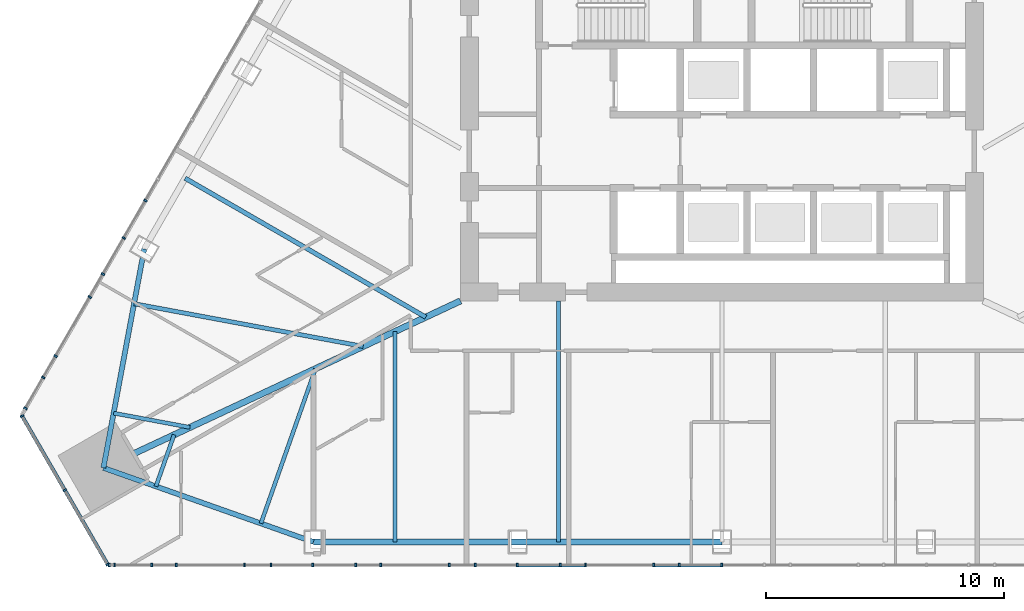
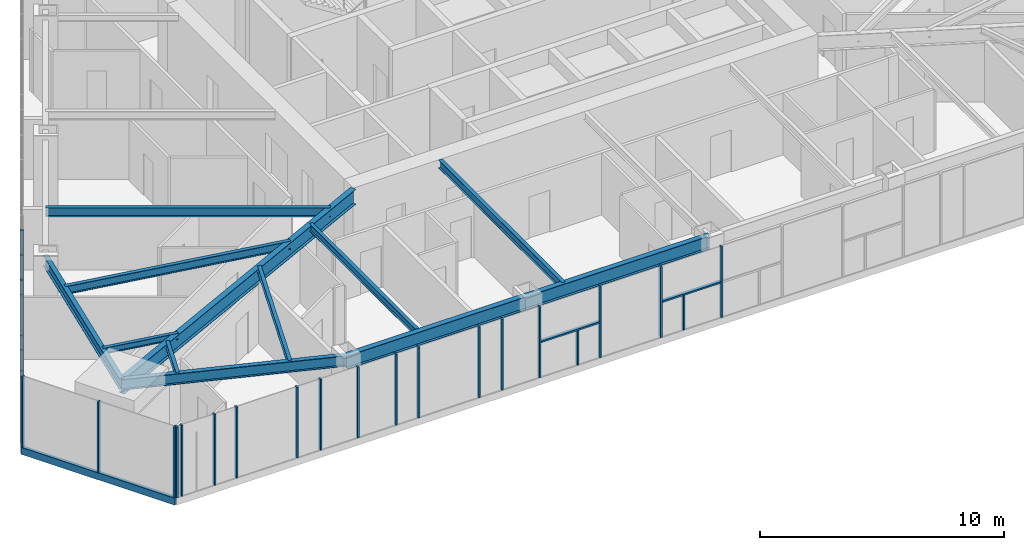
# One storey, part 2 of 24: 30 members, 11 beams, 3 elements without a shape of their own.
"""IFC4 building model written with IfcOpenShell, lengths in metres."""

from ifc_helpers import new_model, si_unit, direction, frame, origin, origin_2d, place, context, subcontext, project, spatial, rectangle, i_section, extrude, material, layer, layer_set, material_profile, profile_set, type_object, element, aggregate, save


model = new_model("IFC4")

# Units and contexts
model_context = context("Model", 3, precision=1e-05, world=origin(), true_north=direction((0.0, 1.0)))
body_context = subcontext(model_context, "Body", "Model", "MODEL_VIEW")
ifc_project = project(units=[si_unit("LENGTHUNIT", "METRE"), si_unit("AREAUNIT", "SQUARE_METRE"), si_unit("VOLUMEUNIT", "CUBIC_METRE"), si_unit("PLANEANGLEUNIT", "RADIAN"), si_unit("MASSUNIT", "GRAM", prefix="KILO")], contexts=[model_context])

# Site, building, storey
site_placement = place(None, origin())
site = spatial("IfcSite", under=ifc_project, at=site_placement, CompositionType="ELEMENT")
building_placement = place(site_placement, origin())
building = spatial("IfcBuilding", under=site, at=building_placement, Name="Firuza Gate Tower and Library", CompositionType="ELEMENT")
storey_placement = place(building_placement, frame((0.0, 0.0, 206.5)))
storey = spatial("IfcBuildingStorey", under=building, at=storey_placement, Name="L48", CompositionType="ELEMENT", Elevation=206.5)

# Curtain wall, members
ifc_material_1 = material(Name="Aluminium 6063-T6", Category="aluminium")
ifc_layer_1 = layer(ifc_material_1, 0.14990234375)
ifc_layer_set_1 = layer_set([ifc_layer_1], Name="Unitised curtain wall, hotel")
curtain_wall_type_1 = type_object("IfcCurtainWallType", Name="Unitised curtain wall, hotel", PredefinedType="NOTDEFINED", material=ifc_layer_set_1)
placement = place(storey_placement, origin())
curtain_wall_1 = element("IfcCurtainWall", 1, at=placement, inside=storey, type_object=curtain_wall_type_1, Name="CW2 L48 S face", PredefinedType="NOTDEFINED")
ifc_material_2 = material(Name="Aluminium 6063-T6", Category="aluminium")
ifc_material_profile_1 = material_profile(ifc_material_2, rectangle(XDim=0.14990234375, YDim=0.080078125, at=origin_2d()))
ifc_profile_set_1 = profile_set([ifc_material_profile_1], Name="Aluminium 6063-T6")
member_type_1 = type_object("IfcMemberType", Name="Curtain wall mullion 80x150", PredefinedType="MULLION", material=ifc_profile_set_1)
member_1_placement = place(storey_placement, frame((49.215576171875, 55.88330078125, 0.14990234375), z_axis=(0.0, 0.0, 1.0), x_axis=(0.0, 1.0, 0.0)))
member_1 = element("IfcMember", 2, at=member_1_placement, type_object=member_type_1, Name="Mullion", PredefinedType="MULLION", context=body_context, shape_type="SweptSolid", body=[
    extrude(rectangle(XDim=0.14990234375, YDim=0.080078125, at=origin_2d()), origin(), (0.0, 0.0, 1.0), 3.550048828125),
])
member_2_placement = place(storey_placement, frame((52.044921875, 55.88330078125, 0.14990234375), z_axis=(0.0, 0.0, 1.0), x_axis=(0.0, 1.0, 0.0)))
member_2 = element("IfcMember", 3, at=member_2_placement, type_object=member_type_1, Name="Mullion", PredefinedType="MULLION", context=body_context, shape_type="SweptSolid", body=[
    extrude(rectangle(XDim=0.14990234375, YDim=0.080078125, at=origin_2d()), origin(), (0.0, 0.0, 1.0), 3.550048828125),
])
member_3_placement = place(storey_placement, frame((54.914306640625, 55.88330078125, 0.14990234375), z_axis=(0.0, 0.0, 1.0), x_axis=(0.0, 1.0, 0.0)))
member_3 = element("IfcMember", 4, at=member_3_placement, type_object=member_type_1, Name="Mullion", PredefinedType="MULLION", context=body_context, shape_type="SweptSolid", body=[
    extrude(rectangle(XDim=0.14990234375, YDim=0.080078125, at=origin_2d()), origin(), (0.0, 0.0, 1.0), 3.550048828125),
])
member_4_placement = place(storey_placement, frame((57.78369140625, 55.88330078125, 0.14990234375), z_axis=(0.0, 0.0, 1.0), x_axis=(0.0, 1.0, 0.0)))
member_4 = element("IfcMember", 5, at=member_4_placement, type_object=member_type_1, Name="Mullion", PredefinedType="MULLION", context=body_context, shape_type="SweptSolid", body=[
    extrude(rectangle(XDim=0.14990234375, YDim=0.080078125, at=origin_2d()), origin(), (0.0, 0.0, 1.0), 3.550048828125),
])
member_5_placement = place(storey_placement, frame((60.653076171875, 55.88330078125, 0.14990234375), z_axis=(0.0, 0.0, 1.0), x_axis=(0.0, 1.0, 0.0)))
member_5 = element("IfcMember", 6, at=member_5_placement, type_object=member_type_1, Name="Mullion", PredefinedType="MULLION", context=body_context, shape_type="SweptSolid", body=[
    extrude(rectangle(XDim=0.14990234375, YDim=0.080078125, at=origin_2d()), origin(), (0.0, 0.0, 1.0), 3.550048828125),
])
member_6_placement = place(storey_placement, frame((63.5224609375, 55.88330078125, 0.14990234375), z_axis=(0.0, 0.0, 1.0), x_axis=(0.0, 1.0, 0.0)))
member_6 = element("IfcMember", 7, at=member_6_placement, type_object=member_type_1, Name="Mullion", PredefinedType="MULLION", context=body_context, shape_type="SweptSolid", body=[
    extrude(rectangle(XDim=0.14990234375, YDim=0.080078125, at=origin_2d()), origin(), (0.0, 0.0, 1.0), 3.550048828125),
])
member_7_placement = place(storey_placement, frame((66.391845703125, 55.88330078125, 0.14990234375), z_axis=(0.0, 0.0, 1.0), x_axis=(0.0, 1.0, 0.0)))
member_7 = element("IfcMember", 8, at=member_7_placement, type_object=member_type_1, Name="Mullion", PredefinedType="MULLION", context=body_context, shape_type="SweptSolid", body=[
    extrude(rectangle(XDim=0.14990234375, YDim=0.080078125, at=origin_2d()), origin(), (0.0, 0.0, 1.0), 3.550048828125),
])
member_8_placement = place(storey_placement, frame((69.26123046875, 55.88330078125, 0.14990234375), z_axis=(0.0, 0.0, 1.0), x_axis=(0.0, 1.0, 0.0)))
member_8 = element("IfcMember", 9, at=member_8_placement, type_object=member_type_1, Name="Mullion", PredefinedType="MULLION", context=body_context, shape_type="SweptSolid", body=[
    extrude(rectangle(XDim=0.14990234375, YDim=0.080078125, at=origin_2d()), origin(), (0.0, 0.0, 1.0), 3.550048828125),
])
member_9_placement = place(storey_placement, frame((72.130615234375, 55.88330078125, 0.14990234375), z_axis=(0.0, 0.0, 1.0), x_axis=(0.0, 1.0, 0.0)))
member_9 = element("IfcMember", 10, at=member_9_placement, type_object=member_type_1, Name="Mullion", PredefinedType="MULLION", context=body_context, shape_type="SweptSolid", body=[
    extrude(rectangle(XDim=0.14990234375, YDim=0.080078125, at=origin_2d()), origin(), (0.0, 0.0, 1.0), 3.550048828125),
])
member_10_placement = place(storey_placement, frame((75.0, 55.88330078125, 0.14990234375), z_axis=(0.0, 0.0, 1.0), x_axis=(0.0, 1.0, 0.0)))
member_10 = element("IfcMember", 11, at=member_10_placement, type_object=member_type_1, Name="Mullion", PredefinedType="MULLION", context=body_context, shape_type="SweptSolid", body=[
    extrude(rectangle(XDim=0.14990234375, YDim=0.080078125, at=origin_2d()), origin(), (0.0, 0.0, 1.0), 3.550048828125),
])
member_11_placement = place(storey_placement, frame((49.441650390625, 55.88330078125, 0.14990234375), z_axis=(0.0, 0.0, 1.0), x_axis=(0.0, 1.0, 0.0)))
member_11 = element("IfcMember", 12, at=member_11_placement, type_object=member_type_1, Name="Mullion", PredefinedType="MULLION", context=body_context, shape_type="SweptSolid", body=[
    extrude(rectangle(XDim=0.14990234375, YDim=0.080078125, at=origin_2d()), origin(), (0.0, 0.0, 1.0), 3.550048828125),
])
member_12_placement = place(storey_placement, frame((51.00537109375, 55.88330078125, 0.14990234375), z_axis=(0.0, 0.0, 1.0), x_axis=(0.0, 1.0, 0.0)))
member_12 = element("IfcMember", 13, at=member_12_placement, type_object=member_type_1, Name="Mullion", PredefinedType="MULLION", context=body_context, shape_type="SweptSolid", body=[
    extrude(rectangle(XDim=0.14990234375, YDim=0.080078125, at=origin_2d()), origin(), (0.0, 0.0, 1.0), 3.550048828125),
])
member_13_placement = place(storey_placement, frame((56.026123046875, 55.88330078125, 0.14990234375), z_axis=(0.0, 0.0, 1.0), x_axis=(0.0, 1.0, 0.0)))
member_13 = element("IfcMember", 14, at=member_13_placement, type_object=member_type_1, Name="Mullion", PredefinedType="MULLION", context=body_context, shape_type="SweptSolid", body=[
    extrude(rectangle(XDim=0.14990234375, YDim=0.080078125, at=origin_2d()), origin(), (0.0, 0.0, 1.0), 3.550048828125),
])
member_14_placement = place(storey_placement, frame((59.59912109375, 55.88330078125, 0.14990234375), z_axis=(0.0, 0.0, 1.0), x_axis=(0.0, 1.0, 0.0)))
member_14 = element("IfcMember", 15, at=member_14_placement, type_object=member_type_1, Name="Mullion", PredefinedType="MULLION", context=body_context, shape_type="SweptSolid", body=[
    extrude(rectangle(XDim=0.14990234375, YDim=0.080078125, at=origin_2d()), origin(), (0.0, 0.0, 1.0), 3.550048828125),
])
member_15_placement = place(storey_placement, frame((64.619873046875, 55.88330078125, 0.14990234375), z_axis=(0.0, 0.0, 1.0), x_axis=(0.0, 1.0, 0.0)))
member_15 = element("IfcMember", 16, at=member_15_placement, type_object=member_type_1, Name="Mullion", PredefinedType="MULLION", context=body_context, shape_type="SweptSolid", body=[
    extrude(rectangle(XDim=0.14990234375, YDim=0.080078125, at=origin_2d()), origin(), (0.0, 0.0, 1.0), 3.550048828125),
])
member_16_placement = place(storey_placement, frame((68.192626953125, 55.88330078125, 0.14990234375), z_axis=(0.0, 0.0, 1.0), x_axis=(0.0, 1.0, 0.0)))
member_16 = element("IfcMember", 17, at=member_16_placement, type_object=member_type_1, Name="Mullion", PredefinedType="MULLION", context=body_context, shape_type="SweptSolid", body=[
    extrude(rectangle(XDim=0.14990234375, YDim=0.080078125, at=origin_2d()), origin(), (0.0, 0.0, 1.0), 1.735107421875),
])
member_17_placement = place(storey_placement, frame((73.213623046875, 55.88330078125, 0.14990234375), z_axis=(0.0, 0.0, 1.0), x_axis=(0.0, 1.0, 0.0)))
member_17 = element("IfcMember", 18, at=member_17_placement, type_object=member_type_1, Name="Mullion", PredefinedType="MULLION", context=body_context, shape_type="SweptSolid", body=[
    extrude(rectangle(XDim=0.14990234375, YDim=0.080078125, at=origin_2d()), origin(), (0.0, 0.0, 1.0), 1.735107421875),
])

curtain_wall_2 = element("IfcCurtainWall", 19, at=placement, inside=storey, type_object=curtain_wall_type_1, Name="CW2 L48 W face", PredefinedType="NOTDEFINED")
member_18_placement = place(storey_placement, frame((49.836181640625, 69.648681640625, 0.14990234375), z_axis=(0.0, 0.0, 1.0), x_axis=(0.866025403784, -0.5, 0.0)))
member_18 = element("IfcMember", 20, at=member_18_placement, type_object=member_type_1, Name="Mullion", PredefinedType="MULLION", context=body_context, shape_type="SweptSolid", body=[
    extrude(rectangle(XDim=0.14990234375, YDim=0.080078125, at=origin_2d()), origin(), (0.0, 0.0, 1.0), 3.550048828125),
])
member_19_placement = place(storey_placement, frame((48.401611328125, 67.16357421875, 0.14990234375), z_axis=(0.0, 0.0, 1.0), x_axis=(0.866025403784, -0.5, 0.0)))
member_19 = element("IfcMember", 21, at=member_19_placement, type_object=member_type_1, Name="Mullion", PredefinedType="MULLION", context=body_context, shape_type="SweptSolid", body=[
    extrude(rectangle(XDim=0.14990234375, YDim=0.080078125, at=origin_2d()), origin(), (0.0, 0.0, 1.0), 3.550048828125),
])
member_20_placement = place(storey_placement, frame((46.966796875, 64.6787109375, 0.14990234375), z_axis=(0.0, 0.0, 1.0), x_axis=(0.866025403784, -0.5, 0.0)))
member_20 = element("IfcMember", 22, at=member_20_placement, type_object=member_type_1, Name="Mullion", PredefinedType="MULLION", context=body_context, shape_type="SweptSolid", body=[
    extrude(rectangle(XDim=0.14990234375, YDim=0.080078125, at=origin_2d()), origin(), (0.0, 0.0, 1.0), 3.550048828125),
])
member_21_placement = place(storey_placement, frame((50.743896484375, 71.220703125, 0.14990234375), z_axis=(0.0, 0.0, 1.0), x_axis=(0.866025403784, -0.5, 0.0)))
member_21 = element("IfcMember", 23, at=member_21_placement, type_object=member_type_1, Name="Mullion", PredefinedType="MULLION", context=body_context, shape_type="SweptSolid", body=[
    extrude(rectangle(XDim=0.14990234375, YDim=0.080078125, at=origin_2d()), origin(), (0.0, 0.0, 1.0), 3.550048828125),
])
member_22_placement = place(storey_placement, frame((48.95751953125, 68.12646484375, 0.14990234375), z_axis=(0.0, 0.0, 1.0), x_axis=(0.866025403784, -0.5, 0.0)))
member_22 = element("IfcMember", 24, at=member_22_placement, type_object=member_type_1, Name="Mullion", PredefinedType="MULLION", context=body_context, shape_type="SweptSolid", body=[
    extrude(rectangle(XDim=0.14990234375, YDim=0.080078125, at=origin_2d()), origin(), (0.0, 0.0, 1.0), 3.550048828125),
])
member_23_placement = place(storey_placement, frame((46.447021484375, 63.7783203125, 0.14990234375), z_axis=(0.0, 0.0, 1.0), x_axis=(0.866025403784, -0.5, 0.0)))
member_23 = element("IfcMember", 25, at=member_23_placement, type_object=member_type_1, Name="Mullion", PredefinedType="MULLION", context=body_context, shape_type="SweptSolid", body=[
    extrude(rectangle(XDim=0.14990234375, YDim=0.080078125, at=origin_2d()), origin(), (0.0, 0.0, 1.0), 3.550048828125),
])
member_24_placement = place(storey_placement, frame((45.69775390625, 62.48046875, 0.14990234375), z_axis=(0.0, 0.0, 1.0), x_axis=(0.866025403784, -0.5, 0.0)))
member_24 = element("IfcMember", 26, at=member_24_placement, type_object=member_type_1, Name="Mullion", PredefinedType="MULLION", context=body_context, shape_type="SweptSolid", body=[
    extrude(rectangle(XDim=0.14990234375, YDim=0.080078125, at=origin_2d()), origin(), (0.0, 0.0, 1.0), 3.550048828125),
])
aggregate(curtain_wall_2, [member_18, member_19, member_20, member_21, member_22, member_23, member_24])

ifc_material_3 = material(Name="Aluminium 6063-T6", Category="aluminium")
ifc_layer_2 = layer(ifc_material_3, 0.14990234375)
ifc_layer_set_2 = layer_set([ifc_layer_2], Name="Corner curtain wall, chamfers")
curtain_wall_type_2 = type_object("IfcCurtainWallType", Name="Corner curtain wall, chamfers", PredefinedType="NOTDEFINED", material=ifc_layer_set_2)
curtain_wall_3 = element("IfcCurtainWall", 27, at=placement, inside=storey, type_object=curtain_wall_type_2, Name="CW4 L48 SW corner", PredefinedType="NOTDEFINED")
member_25_placement = place(storey_placement, frame((45.55224609375, 62.158935546875, 0.14990234375), z_axis=(0.0, 0.0, 1.0), x_axis=(0.866025403784, 0.5, 0.0)))
member_25 = element("IfcMember", 28, at=member_25_placement, type_object=member_type_1, Name="Mullion", PredefinedType="MULLION", context=body_context, shape_type="SweptSolid", body=[
    extrude(rectangle(XDim=0.14990234375, YDim=0.080078125, at=origin_2d()), origin(), (0.0, 0.0, 1.0), 3.550048828125),
])
member_26_placement = place(storey_placement, frame((47.353759765625, 59.03857421875, 0.14990234375), z_axis=(0.0, 0.0, 1.0), x_axis=(0.866025403784, 0.5, 0.0)))
member_26 = element("IfcMember", 29, at=member_26_placement, type_object=member_type_1, Name="Mullion", PredefinedType="MULLION", context=body_context, shape_type="SweptSolid", body=[
    extrude(rectangle(XDim=0.14990234375, YDim=0.080078125, at=origin_2d()), origin(), (0.0, 0.0, 1.0), 3.550048828125),
])
member_27_placement = place(storey_placement, frame((49.155517578125, 55.91796875, 0.14990234375), z_axis=(0.0, 0.0, 1.0), x_axis=(0.866025403784, 0.5, 0.0)))
member_27 = element("IfcMember", 30, at=member_27_placement, type_object=member_type_1, Name="Mullion", PredefinedType="MULLION", context=body_context, shape_type="SweptSolid", body=[
    extrude(rectangle(XDim=0.14990234375, YDim=0.080078125, at=origin_2d()), origin(), (0.0, 0.0, 1.0), 3.550048828125),
])
ifc_material_4 = material(Name="Aluminium 6063-T6", Category="aluminium")
ifc_material_profile_2 = material_profile(ifc_material_4, rectangle(XDim=0.14990234375, YDim=0.35009765625, at=origin_2d()))
ifc_profile_set_2 = profile_set([ifc_material_profile_2], Name="Aluminium 6063-T6")
member_type_2 = type_object("IfcMemberType", Name="Curtain wall transom 350x150", PredefinedType="USERDEFINED", material=ifc_profile_set_2)
member_28_placement = place(storey_placement, frame((45.5322265625, 62.193603515625, -0.02490234375), z_axis=(0.500005719219, -0.866022101766, 0.0), x_axis=(0.866022101766, 0.500005719219, 0.0)))
member_28 = element("IfcMember", 31, at=member_28_placement, type_object=member_type_2, Name="Transom", ObjectType="TRANSOM", PredefinedType="USERDEFINED", context=body_context, shape_type="SweptSolid", body=[
    extrude(rectangle(XDim=0.14990234375, YDim=0.35009765625, at=origin_2d()), origin(), (0.0, 0.0, 1.0), 7.28662109375),
])
aggregate(curtain_wall_3, [member_25, member_26, member_27, member_28])

# Member
ifc_material_5 = material(Name="Aluminium 6063-T6", Category="aluminium")
ifc_material_profile_3 = material_profile(ifc_material_5, rectangle(XDim=0.14990234375, YDim=0.080078125, at=origin_2d()))
ifc_profile_set_3 = profile_set([ifc_material_profile_3], Name="Aluminium 6063-T6")
member_type_3 = type_object("IfcMemberType", Name="Curtain wall transom 80x150", PredefinedType="USERDEFINED", material=ifc_profile_set_3)
member_29_placement = place(storey_placement, frame((66.431884765625, 55.88330078125, 1.925048828125), z_axis=(1.0, 0.0, 0.0), x_axis=(0.0, 1.0, 0.0)))
member_29 = element("IfcMember", 32, at=member_29_placement, type_object=member_type_3, Name="Transom", ObjectType="TRANSOM", PredefinedType="USERDEFINED", context=body_context, shape_type="SweptSolid", body=[
    extrude(rectangle(XDim=0.14990234375, YDim=0.080078125, at=origin_2d()), origin(), (0.0, 0.0, 1.0), 2.789306640625),
])

member_30_placement = place(storey_placement, frame((72.170654296875, 55.88330078125, 1.925048828125), z_axis=(1.0, 0.0, 0.0), x_axis=(0.0, 1.0, 0.0)))
member_30 = element("IfcMember", 33, at=member_30_placement, type_object=member_type_3, Name="Transom", ObjectType="TRANSOM", PredefinedType="USERDEFINED", context=body_context, shape_type="SweptSolid", body=[
    extrude(rectangle(XDim=0.14990234375, YDim=0.080078125, at=origin_2d()), origin(), (0.0, 0.0, 1.0), 2.789306640625),
])

aggregate(curtain_wall_1, [member_1, member_2, member_3, member_4, member_5, member_6, member_7, member_8, member_9, member_10, member_11, member_12, member_13, member_14, member_15, member_16, member_29, member_17, member_30])

# Beams
ifc_material_6 = material(Name="Steel S355", Category="steel")
ifc_material_profile_4 = material_profile(ifc_material_6, i_section(OverallWidth=0.1650390625, OverallDepth=0.31005859375, WebThickness=0.005859375, FlangeThickness=0.009765625, at=origin_2d()))
ifc_profile_set_4 = profile_set([ifc_material_profile_4], Name="Steel S355")
beam_type_1 = type_object("IfcBeamType", Name="W310x39 Floor beam", PredefinedType="JOIST", material=ifc_profile_set_4)
beam_1_placement = place(storey_placement, frame((49.406982421875, 62.278564453125, 3.544921875), z_axis=(0.98304592643, -0.183359500789, 0.0), x_axis=(0.183359500789, 0.98304592643, 0.0)))
element("IfcBeam", 34, at=beam_1_placement, inside=storey, type_object=beam_type_1, Name="Floor beam L48 s01", PredefinedType="JOIST", context=body_context, shape_type="SweptSolid", body=[
    extrude(i_section(OverallWidth=0.1650390625, OverallDepth=0.31005859375, WebThickness=0.005859375, FlangeThickness=0.009765625, at=origin_2d()), origin(), (0.0, 0.0, 1.0), 3.268798828125),
])
beam_2_placement = place(storey_placement, frame((51.186279296875, 59.196533203125, 3.544921875), z_axis=(0.332792371973, 0.943000125746, 0.0), x_axis=(-0.943000125746, 0.332792371973, 0.0)))
element("IfcBeam", 35, at=beam_2_placement, inside=storey, type_object=beam_type_1, Name="Floor beam L48 s10", PredefinedType="JOIST", context=body_context, shape_type="SweptSolid", body=[
    extrude(i_section(OverallWidth=0.1650390625, OverallDepth=0.31005859375, WebThickness=0.005859375, FlangeThickness=0.009765625, at=origin_2d()), origin(), (0.0, 0.0, 1.0), 2.30126953125),
])
beam_3_placement = place(storey_placement, frame((55.603759765625, 57.6376953125, 3.544921875), z_axis=(0.332781274882, 0.943004041925, 0.0), x_axis=(-0.943004041925, 0.332781274882, 0.0)))
element("IfcBeam", 36, at=beam_3_placement, inside=storey, type_object=beam_type_1, Name="Floor beam L48 s11", PredefinedType="JOIST", context=body_context, shape_type="SweptSolid", body=[
    extrude(i_section(OverallWidth=0.1650390625, OverallDepth=0.31005859375, WebThickness=0.005859375, FlangeThickness=0.009765625, at=origin_2d()), origin(), (0.0, 0.0, 1.0), 6.904296875),
])
ifc_material_7 = material(Name="Steel S355", Category="steel")
ifc_material_profile_5 = material_profile(ifc_material_7, i_section(OverallWidth=0.1708984375, OverallDepth=0.35498046875, WebThickness=0.007080078125, FlangeThickness=0.01171875, at=origin_2d()))
ifc_profile_set_5 = profile_set([ifc_material_profile_5], Name="Steel S355")
beam_type_2 = type_object("IfcBeamType", Name="W360x51 Floor beam", PredefinedType="JOIST", material=ifc_profile_set_5)
beam_4_placement = place(storey_placement, frame((61.25, 56.8583984375, 3.5224609375), z_axis=(0.0, 1.0, 0.0), x_axis=(-1.0, 0.0, 0.0)))
element("IfcBeam", 37, at=beam_4_placement, inside=storey, type_object=beam_type_2, Name="Floor beam L48 s20", PredefinedType="JOIST", context=body_context, shape_type="SweptSolid", body=[
    extrude(i_section(OverallWidth=0.1708984375, OverallDepth=0.35498046875, WebThickness=0.007080078125, FlangeThickness=0.01171875, at=origin_2d()), origin(), (0.0, 0.0, 1.0), 8.855712890625),
])
ifc_material_8 = material(Name="Steel S355", Category="steel")
ifc_material_profile_6 = material_profile(ifc_material_8, i_section(OverallWidth=0.177978515625, OverallDepth=0.406982421875, WebThickness=0.0078125, FlangeThickness=0.0126953125, at=origin_2d()))
ifc_profile_set_6 = profile_set([ifc_material_profile_6], Name="Steel S355")
beam_type_3 = type_object("IfcBeamType", Name="W410x60 Floor beam", PredefinedType="JOIST", material=ifc_profile_set_6)
beam_5_placement = place(storey_placement, frame((50.265625, 66.883544921875, 3.49658203125), z_axis=(0.983056573465, -0.183302409604, 0.0), x_axis=(0.183302409604, 0.983056573465, 0.0)))
element("IfcBeam", 38, at=beam_5_placement, inside=storey, type_object=beam_type_3, Name="Floor beam L48 s00", PredefinedType="JOIST", context=body_context, shape_type="SweptSolid", body=[
    extrude(i_section(OverallWidth=0.177978515625, OverallDepth=0.406982421875, WebThickness=0.0078125, FlangeThickness=0.0126953125, at=origin_2d()), origin(), (0.0, 0.0, 1.0), 9.806884765625),
])
beam_6_placement = place(storey_placement, frame((68.125, 56.8583984375, 3.49658203125), z_axis=(0.0, 1.0, 0.0), x_axis=(-1.0, 0.0, 0.0)))
element("IfcBeam", 39, at=beam_6_placement, inside=storey, type_object=beam_type_3, Name="Floor beam L48 s21", PredefinedType="JOIST", context=body_context, shape_type="SweptSolid", body=[
    extrude(i_section(OverallWidth=0.177978515625, OverallDepth=0.406982421875, WebThickness=0.0078125, FlangeThickness=0.0126953125, at=origin_2d()), origin(), (0.0, 0.0, 1.0), 10.1416015625),
])
ifc_material_9 = material(Name="Steel S355", Category="steel")
ifc_material_profile_7 = material_profile(ifc_material_9, i_section(OverallWidth=0.18994140625, OverallDepth=0.45703125, WebThickness=0.009033203125, FlangeThickness=0.014404296875, at=origin_2d()))
ifc_profile_set_7 = profile_set([ifc_material_profile_7], Name="Steel S355")
beam_type_4 = type_object("IfcBeamType", Name="W460x74 Floor beam", PredefinedType="JOIST", material=ifc_profile_set_7)
beam_7_placement = place(storey_placement, frame((52.413818359375, 72.1630859375, 3.471435546875), z_axis=(0.866025630412, -0.49999960747, 0.0), x_axis=(0.49999960747, 0.866025630412, 0.0)))
element("IfcBeam", 40, at=beam_7_placement, inside=storey, type_object=beam_type_4, Name="Floor beam L48 s84", PredefinedType="JOIST", context=body_context, shape_type="SweptSolid", body=[
    extrude(i_section(OverallWidth=0.18994140625, OverallDepth=0.45703125, WebThickness=0.009033203125, FlangeThickness=0.014404296875, at=origin_2d()), origin(), (0.0, 0.0, 1.0), 11.69189453125),
])
ifc_material_10 = material(Name="Steel S355", Category="steel")
ifc_material_profile_8 = material_profile(ifc_material_10, i_section(OverallWidth=0.212890625, OverallDepth=0.5390625, WebThickness=0.01171875, FlangeThickness=0.018798828125, at=origin_2d()))
ifc_profile_set_8 = profile_set([ifc_material_profile_8], Name="Steel S355")
beam_type_5 = type_object("IfcBeamType", Name="W530x109 Edge beam", PredefinedType="SPANDREL", material=ifc_profile_set_8)
beam_8_placement = place(storey_placement, frame((50.695068359375, 69.18603515625, 3.430419921875), z_axis=(-0.183325539485, -0.983052260347, 0.0), x_axis=(0.983052260347, -0.183325539485, 0.0)))
element("IfcBeam", 41, at=beam_8_placement, inside=storey, type_object=beam_type_5, Name="Edge beam L48 e00", PredefinedType="SPANDREL", context=body_context, shape_type="SweptSolid", body=[
    extrude(i_section(OverallWidth=0.212890625, OverallDepth=0.5390625, WebThickness=0.01171875, FlangeThickness=0.018798828125, at=origin_2d()), origin(), (0.0, 0.0, 1.0), 9.36865234375),
])
beam_9_placement = place(storey_placement, frame((48.9775390625, 59.97607421875, 3.430419921875), z_axis=(0.94300861327, -0.332768320754, 0.0), x_axis=(0.332768320754, 0.94300861327, 0.0)))
element("IfcBeam", 42, at=beam_9_placement, inside=storey, type_object=beam_type_5, Name="Edge beam L48 e10", PredefinedType="SPANDREL", context=body_context, shape_type="SweptSolid", body=[
    extrude(i_section(OverallWidth=0.212890625, OverallDepth=0.5390625, WebThickness=0.01171875, FlangeThickness=0.018798828125, at=origin_2d()), origin(), (0.0, 0.0, 1.0), 9.368896484375),
])
ifc_material_11 = material(Name="Steel S355", Category="steel")
ifc_material_profile_9 = material_profile(ifc_material_11, i_section(OverallWidth=0.2529296875, OverallDepth=0.677978515625, WebThickness=0.01171875, FlangeThickness=0.016357421875, at=origin_2d()))
ifc_profile_set_9 = profile_set([ifc_material_profile_9], Name="Steel S355")
beam_type_6 = type_object("IfcBeamType", Name="W690x125 Edge beam", PredefinedType="SPANDREL", material=ifc_profile_set_9)
beam_10_placement = place(storey_placement, frame((57.8125, 56.8583984375, 3.361083984375), z_axis=(1.0, 0.0, 0.0), x_axis=(0.0, 1.0, 0.0)))
element("IfcBeam", 43, at=beam_10_placement, inside=storey, type_object=beam_type_6, Name="Edge beam L48 e20", PredefinedType="SPANDREL", context=body_context, shape_type="SweptSolid", body=[
    extrude(i_section(OverallWidth=0.2529296875, OverallDepth=0.677978515625, WebThickness=0.01171875, FlangeThickness=0.016357421875, at=origin_2d()), origin(), (0.0, 0.0, 1.0), 17.1875),
])
ifc_material_12 = material(Name="Steel S355", Category="steel")
ifc_material_profile_10 = material_profile(ifc_material_12, i_section(OverallWidth=0.264892578125, OverallDepth=0.7529296875, WebThickness=0.01318359375, FlangeThickness=0.01708984375, at=origin_2d()))
ifc_profile_set_10 = profile_set([ifc_material_profile_10], Name="Steel S355")
beam_type_7 = type_object("IfcBeamType", Name="W760x147 Girder", PredefinedType="BEAM", material=ifc_profile_set_10)
beam_11_placement = place(storey_placement, frame((48.9775390625, 59.97607421875, 3.323486328125), z_axis=(0.905872229673, 0.423551063637, 0.0), x_axis=(-0.423551063637, 0.905872229673, 0.0)))
element("IfcBeam", 44, at=beam_11_placement, inside=storey, type_object=beam_type_7, Name="Girder L48 gSW", PredefinedType="BEAM", context=body_context, shape_type="SweptSolid", body=[
    extrude(i_section(OverallWidth=0.264892578125, OverallDepth=0.7529296875, WebThickness=0.01318359375, FlangeThickness=0.01708984375, at=origin_2d()), origin(), (0.0, 0.0, 1.0), 16.58349609375),
])

save(model, "model.ifc")
